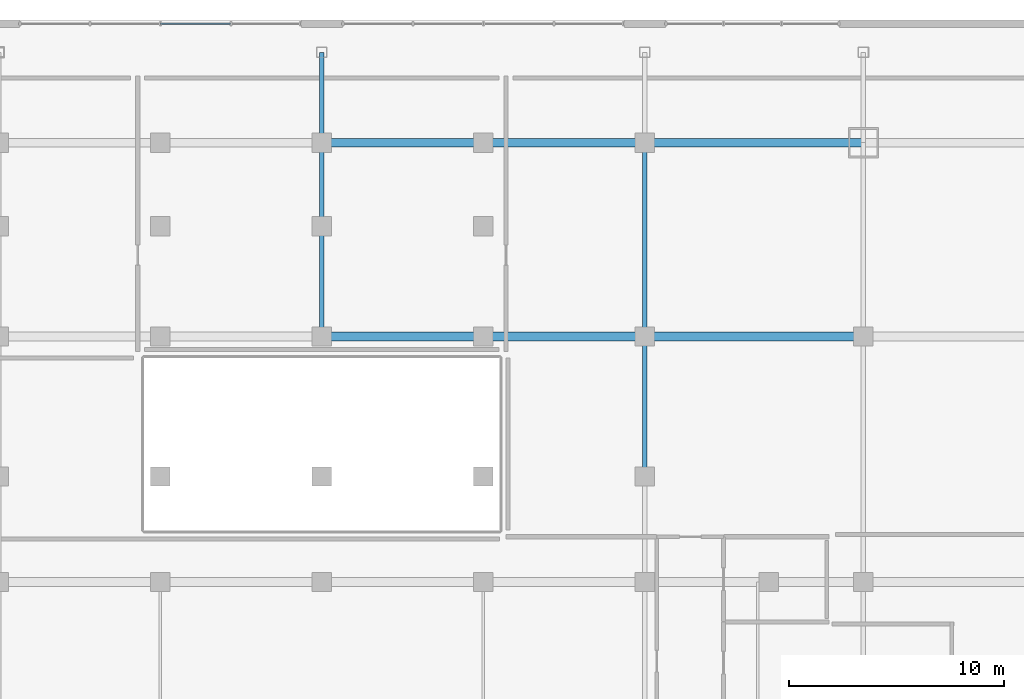
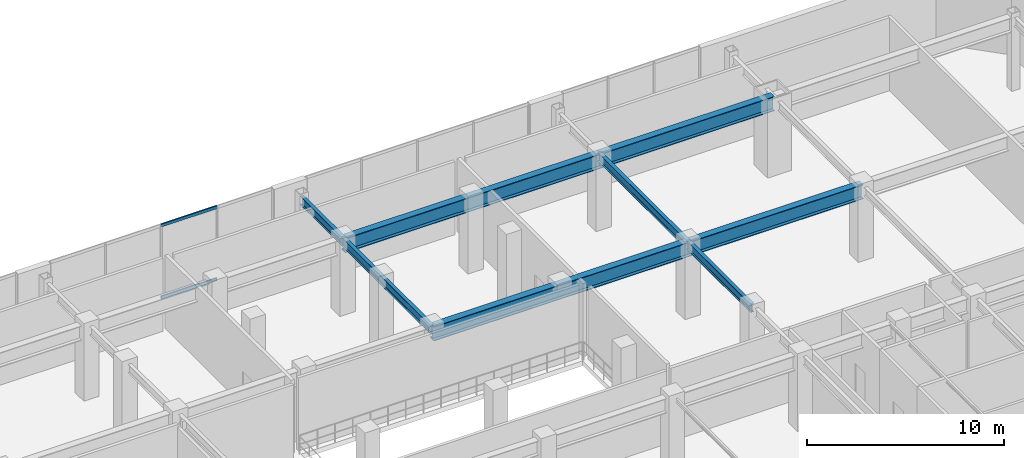
# One storey, part 6 of 16: 8 beams, 2 members, 1 element without a shape of its own.
"""IFC4 building model written with IfcOpenShell, lengths in metres."""

from ifc_helpers import new_model, si_unit, direction, frame, origin, origin_2d, place, context, subcontext, project, spatial, hollow_rectangle, i_section, extrude, material, material_profile, profile_set, type_object, element, aggregate, save


model = new_model("IFC4")

# Units and contexts
model_context = context("Model", 3, precision=1e-05, world=origin(), true_north=direction((0.0, 1.0)))
body_context = subcontext(model_context, "Body", "Model", "MODEL_VIEW")
ifc_project = project(units=[si_unit("LENGTHUNIT", "METRE"), si_unit("AREAUNIT", "SQUARE_METRE"), si_unit("VOLUMEUNIT", "CUBIC_METRE"), si_unit("PLANEANGLEUNIT", "RADIAN"), si_unit("MASSUNIT", "GRAM", prefix="KILO")], contexts=[model_context])

# Site, building, storey
site_placement = place(None, origin())
site = spatial("IfcSite", under=ifc_project, at=site_placement, CompositionType="ELEMENT")
building_placement = place(site_placement, origin())
building = spatial("IfcBuilding", under=site, at=building_placement, Name="Ventersveld Concourse Tower", CompositionType="ELEMENT")
storey_placement = place(building_placement, frame((0.0, 0.0, 10.199951171875)))
storey = spatial("IfcBuildingStorey", under=building, at=storey_placement, Name="L02", CompositionType="ELEMENT", Elevation=10.199951171875)

# Curtain wall, members
ifc_material_1 = material(Name="Anodised aluminium EN AW-6063-T6", Category="aluminium")
curtain_wall_type = type_object("IfcCurtainWallType", Name="CW-POD-2", PredefinedType="NOTDEFINED", material=ifc_material_1)
curtain_wall_placement = place(storey_placement, origin())
curtain_wall = element("IfcCurtainWall", 1, at=curtain_wall_placement, inside=storey, type_object=curtain_wall_type, Name="L02 L02 Podium Gallery Curtain Wall 2", PredefinedType="NOTDEFINED")
ifc_material_profile_1 = material_profile(ifc_material_1, hollow_rectangle(XDim=0.074951171875, YDim=0.179931640625, WallThickness=0.00390625, at=origin_2d()), Name="ALU 180x75x4")
ifc_profile_set_1 = profile_set([ifc_material_profile_1], Name="Anodised aluminium EN AW-6063-T6")
member_type = type_object("IfcMemberType", Name="CWT-180x75", PredefinedType="USERDEFINED", material=ifc_profile_set_1)
member_1_placement = place(storey_placement, frame((21.260009765625, 49.52001953125, 0.030029296875), z_axis=(1.0, 0.0, 0.0), x_axis=(0.0, 1.0, 0.0)))
member_1 = element("IfcMember", 2, at=member_1_placement, type_object=member_type, Name="CW-L02-N2 Transom 1-03", ObjectType="TRANSOM", PredefinedType="USERDEFINED", context=body_context, shape_type="SweptSolid", body=[
    extrude(hollow_rectangle(XDim=0.074951171875, YDim=0.179931640625, WallThickness=0.00390625, at=origin_2d()), origin(), (0.0, 0.0, 1.0), 3.2548828125),
])
member_2_placement = place(storey_placement, frame((21.260009765625, 49.52001953125, 4.489990234375), z_axis=(1.0, 0.0, 0.0), x_axis=(0.0, 1.0, 0.0)))
member_2 = element("IfcMember", 3, at=member_2_placement, type_object=member_type, Name="CW-L02-N2 Transom 2-03", ObjectType="TRANSOM", PredefinedType="USERDEFINED", context=body_context, shape_type="SweptSolid", body=[
    extrude(hollow_rectangle(XDim=0.074951171875, YDim=0.179931640625, WallThickness=0.00390625, at=origin_2d()), origin(), (0.0, 0.0, 1.0), 3.2548828125),
])
aggregate(curtain_wall, [member_1, member_2])

# Beams
ifc_material_2 = material(Name="Structural steel S355J2", Category="steel")
ifc_material_profile_2 = material_profile(ifc_material_2, i_section(OverallWidth=0.39990234375, OverallDepth=0.89990234375, WebThickness=0.02197265625, FlangeThickness=0.035888671875, at=origin_2d()), Name="PG 900x400x36")
ifc_profile_set_2 = profile_set([ifc_material_profile_2], Name="Structural steel S355J2")
beam_type_1 = type_object("IfcBeamType", Name="GRD-PG900", PredefinedType="USERDEFINED", material=ifc_profile_set_2)
beam_1_placement = place(storey_placement, frame((28.75, 35.0, 4.070068359375), z_axis=(1.0, 0.0, 0.0), x_axis=(0.0, 1.0, 0.0)))
element("IfcBeam", 4, at=beam_1_placement, inside=storey, type_object=beam_type_1, Name="L02 Podium Primary Girder Y=35.0m", ObjectType="GIRDER", PredefinedType="USERDEFINED", context=body_context, shape_type="SweptSolid", body=[
    extrude(i_section(OverallWidth=0.39990234375, OverallDepth=0.89990234375, WebThickness=0.02197265625, FlangeThickness=0.035888671875, at=origin_2d()), origin(), (0.0, 0.0, 1.0), 15.0),
])
beam_2_placement = place(storey_placement, frame((43.75, 35.0, 4.070068359375), z_axis=(1.0, 0.0, 0.0), x_axis=(0.0, 1.0, 0.0)))
element("IfcBeam", 5, at=beam_2_placement, inside=storey, type_object=beam_type_1, Name="L02 Podium Primary Girder Y=35.0m", ObjectType="GIRDER", PredefinedType="USERDEFINED", context=body_context, shape_type="SweptSolid", body=[
    extrude(i_section(OverallWidth=0.39990234375, OverallDepth=0.89990234375, WebThickness=0.02197265625, FlangeThickness=0.035888671875, at=origin_2d()), origin(), (0.0, 0.0, 1.0), 10.14990234375),
])
beam_3_placement = place(storey_placement, frame((28.75, 44.0, 4.070068359375), z_axis=(1.0, 0.0, 0.0), x_axis=(0.0, 1.0, 0.0)))
element("IfcBeam", 6, at=beam_3_placement, inside=storey, type_object=beam_type_1, Name="L02 Podium Primary Girder Y=44.0m", ObjectType="GIRDER", PredefinedType="USERDEFINED", context=body_context, shape_type="SweptSolid", body=[
    extrude(i_section(OverallWidth=0.39990234375, OverallDepth=0.89990234375, WebThickness=0.02197265625, FlangeThickness=0.035888671875, at=origin_2d()), origin(), (0.0, 0.0, 1.0), 15.0),
])
beam_4_placement = place(storey_placement, frame((43.75, 44.0, 4.070068359375), z_axis=(1.0, 0.0, 0.0), x_axis=(0.0, 1.0, 0.0)))
element("IfcBeam", 7, at=beam_4_placement, inside=storey, type_object=beam_type_1, Name="L02 Podium Primary Girder Y=44.0m", ObjectType="GIRDER", PredefinedType="USERDEFINED", context=body_context, shape_type="SweptSolid", body=[
    extrude(i_section(OverallWidth=0.39990234375, OverallDepth=0.89990234375, WebThickness=0.02197265625, FlangeThickness=0.035888671875, at=origin_2d()), origin(), (0.0, 0.0, 1.0), 10.14990234375),
])
ifc_material_profile_3 = material_profile(ifc_material_2, i_section(OverallWidth=0.209228515625, OverallDepth=0.533203125, WebThickness=0.010009765625, FlangeThickness=0.015625, FilletRadius=0.0126953125, at=origin_2d()), Name="UB 533x210x92")
ifc_profile_set_3 = profile_set([ifc_material_profile_3], Name="Structural steel S355J2")
beam_type_2 = type_object("IfcBeamType", Name="GRD-UB533", PredefinedType="T_BEAM", material=ifc_profile_set_3)
beam_5_placement = place(storey_placement, frame((28.75, 35.0, 4.253662109375), z_axis=(0.0, 1.0, 0.0), x_axis=(-1.0, 0.0, 0.0)))
element("IfcBeam", 8, at=beam_5_placement, inside=storey, type_object=beam_type_2, Name="L02 Podium N-S Girder X=28.75m", PredefinedType="T_BEAM", context=body_context, shape_type="SweptSolid", body=[
    extrude(i_section(OverallWidth=0.209228515625, OverallDepth=0.533203125, WebThickness=0.010009765625, FlangeThickness=0.015625, FilletRadius=0.0126953125, at=origin_2d()), origin(), (0.0, 0.0, 1.0), 9.0),
])
beam_6_placement = place(storey_placement, frame((28.75, 44.0, 4.253662109375), z_axis=(0.0, 1.0, 0.0), x_axis=(-1.0, 0.0, 0.0)))
element("IfcBeam", 9, at=beam_6_placement, inside=storey, type_object=beam_type_2, Name="L02 Podium N-S Girder X=28.75m", PredefinedType="T_BEAM", context=body_context, shape_type="SweptSolid", body=[
    extrude(i_section(OverallWidth=0.209228515625, OverallDepth=0.533203125, WebThickness=0.010009765625, FlangeThickness=0.015625, FilletRadius=0.0126953125, at=origin_2d()), origin(), (0.0, 0.0, 1.0), 4.199951171875),
])
beam_7_placement = place(storey_placement, frame((43.75, 28.5, 4.253662109375), z_axis=(0.0, 1.0, 0.0), x_axis=(-1.0, 0.0, 0.0)))
element("IfcBeam", 10, at=beam_7_placement, inside=storey, type_object=beam_type_2, Name="L02 Podium N-S Girder X=43.75m", PredefinedType="T_BEAM", context=body_context, shape_type="SweptSolid", body=[
    extrude(i_section(OverallWidth=0.209228515625, OverallDepth=0.533203125, WebThickness=0.010009765625, FlangeThickness=0.015625, FilletRadius=0.0126953125, at=origin_2d()), origin(), (0.0, 0.0, 1.0), 6.5),
])
beam_8_placement = place(storey_placement, frame((43.75, 35.0, 4.253662109375), z_axis=(0.0, 1.0, 0.0), x_axis=(-1.0, 0.0, 0.0)))
element("IfcBeam", 11, at=beam_8_placement, inside=storey, type_object=beam_type_2, Name="L02 Podium N-S Girder X=43.75m", PredefinedType="T_BEAM", context=body_context, shape_type="SweptSolid", body=[
    extrude(i_section(OverallWidth=0.209228515625, OverallDepth=0.533203125, WebThickness=0.010009765625, FlangeThickness=0.015625, FilletRadius=0.0126953125, at=origin_2d()), origin(), (0.0, 0.0, 1.0), 9.0),
])

save(model, "model.ifc")
